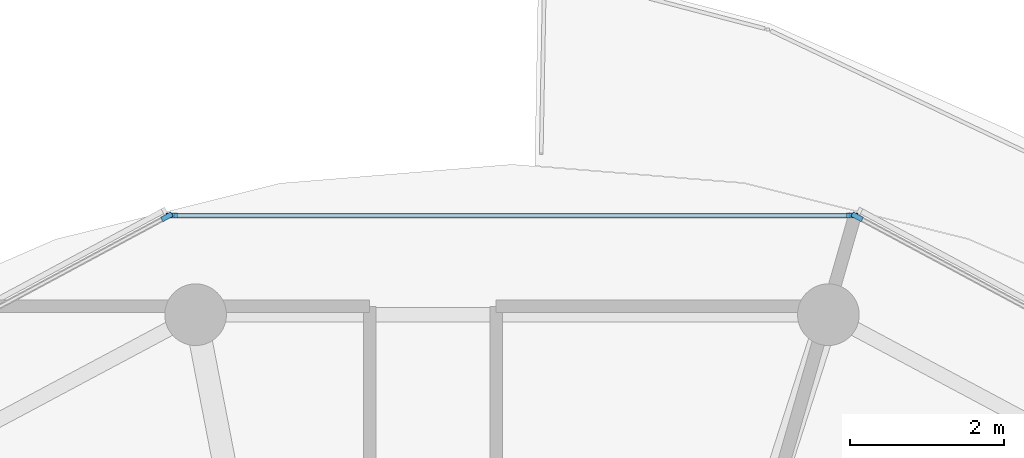
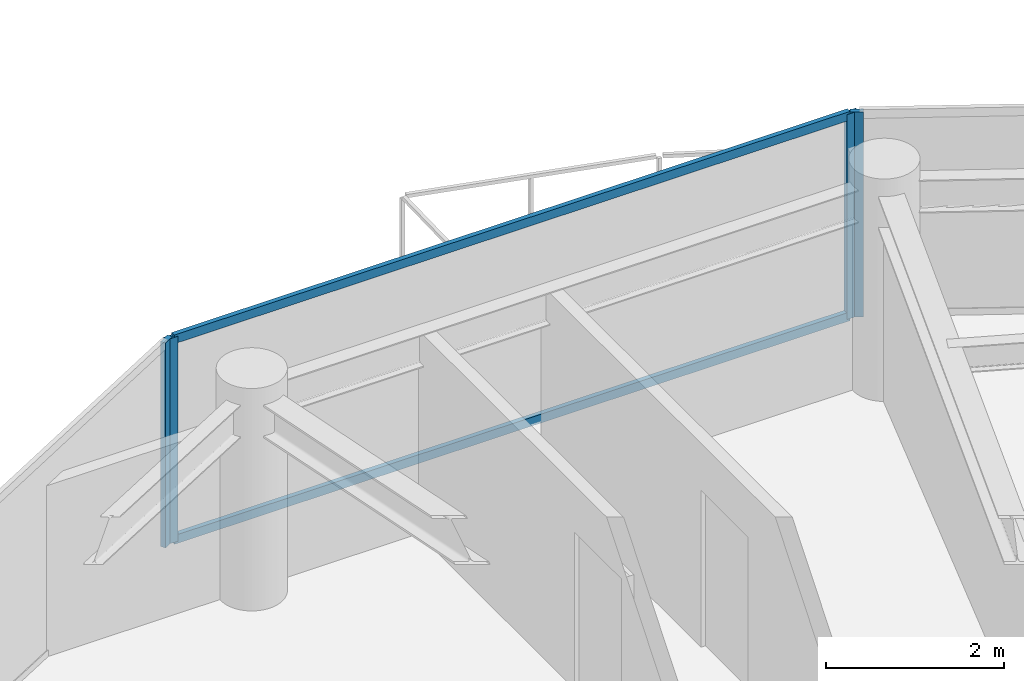
# One storey, part 9 of 21: 6 members, 3 elements without a shape of their own.
"""IFC4 building model written with IfcOpenShell, lengths in metres."""

from ifc_helpers import new_model, si_unit, direction, frame, origin, origin_2d, place, context, subcontext, project, spatial, rectangle, extrude, source, transform, mapped, material, layer, layer_set, material_profile, profile_set, type_object, type_shapes, element, aggregate, save


model = new_model("IFC4")

# Units and contexts
model_context = context("Model", 3, precision=1e-05, world=origin(), true_north=direction((0.0, 1.0)))
body_context = subcontext(model_context, "Body", "Model", "MODEL_VIEW")
ifc_project = project(units=[si_unit("LENGTHUNIT", "METRE"), si_unit("AREAUNIT", "SQUARE_METRE"), si_unit("VOLUMEUNIT", "CUBIC_METRE"), si_unit("PLANEANGLEUNIT", "RADIAN"), si_unit("MASSUNIT", "GRAM", prefix="KILO")], contexts=[model_context])

# Site, building, storey
site_placement = place(None, origin())
site = spatial("IfcSite", under=ifc_project, at=site_placement, CompositionType="ELEMENT")
building_placement = place(site_placement, origin())
building = spatial("IfcBuilding", under=site, at=building_placement, Name="Norrkilde Senior Care Towers", CompositionType="ELEMENT")
storey_placement = place(building_placement, frame((0.0, 0.0, 140.39990234375)))
storey = spatial("IfcBuildingStorey", under=building, at=storey_placement, Name="L43", CompositionType="ELEMENT", Elevation=140.39990234375)

# Curtain wall, member
ifc_material_1 = material(Name="Triple Low-E Insulated Glazing", Category="glass")
ifc_layer = layer(ifc_material_1, 0.18994140625)
ifc_layer_set = layer_set([ifc_layer], Name="Triple Low-E Insulated Glazing")
curtain_wall_type = type_object("IfcCurtainWallType", Name="CW4 Zone 3 Senior Residence Curtain Wall", PredefinedType="NOTDEFINED", material=ifc_layer_set)
curtain_wall_1_placement = place(storey_placement, origin())
curtain_wall_1 = element("IfcCurtainWall", 1, at=curtain_wall_1_placement, inside=storey, type_object=curtain_wall_type, Name="L43 Drum W Curtain Wall 01", PredefinedType="NOTDEFINED")
ifc_material_2 = material(Name="Anodised Aluminium", Category="aluminium")
ifc_material_profile_1 = material_profile(ifc_material_2, rectangle(XDim=0.06494140625, YDim=0.14990234375, at=origin_2d()), Name="ALU MULL 65x150")
ifc_profile_set_1 = profile_set([ifc_material_profile_1], Name="Anodised Aluminium")
member_type_1 = type_object("IfcMemberType", Name="Curtain Wall Mullion Z3-Z4 65x150", PredefinedType="MULLION", material=ifc_profile_set_1)
shared_shape_1 = source(origin(), body_context, "Body", "SweptSolid", [
    extrude(rectangle(XDim=0.06494140625, YDim=0.14990234375, at=origin_2d()), origin(), (0.0, 0.0, 1.0), 2.81005859375),
])
type_shapes(member_type_1, [shared_shape_1])
member_1_placement = place(storey_placement, frame((-22.499755859375, 17.195556640625, 0.0), z_axis=(0.0, 0.0, 1.0), x_axis=(0.47311715104, 0.880999524059, 0.0)))
member_1 = element("IfcMember", 2, at=member_1_placement, type_object=member_type_1, Name="CW-4 mullion 1", PredefinedType="MULLION", context=body_context, shape_type="MappedRepresentation", body=[
    mapped(shared_shape_1, transform((0.0, 0.0, 0.0), x_axis=(1.0, 0.0, 0.0), y_axis=(0.0, 1.0, 0.0), z_axis=(0.0, 0.0, 1.0), scale=1.0)),
])
aggregate(curtain_wall_1, [member_1])

# Curtain wall, members
curtain_wall_2_placement = place(storey_placement, origin())
curtain_wall_2 = element("IfcCurtainWall", 3, at=curtain_wall_2_placement, inside=storey, type_object=curtain_wall_type, Name="L43 Drum W Curtain Wall 02", PredefinedType="NOTDEFINED")
member_2_placement = place(storey_placement, frame((-31.388916015625, 17.2109375, 0.0), z_axis=(0.0, 0.0, 1.0), x_axis=(0.0, 1.0, 0.0)))
member_2 = element("IfcMember", 4, at=member_2_placement, type_object=member_type_1, Name="CW-4 mullion 1", PredefinedType="MULLION", context=body_context, shape_type="MappedRepresentation", body=[
    mapped(shared_shape_1, transform((0.0, 0.0, 0.0), x_axis=(1.0, 0.0, 0.0), y_axis=(0.0, 1.0, 0.0), z_axis=(0.0, 0.0, 1.0), scale=1.0)),
])
member_3_placement = place(storey_placement, frame((-22.56103515625, 17.2109375, 0.0), z_axis=(0.0, 0.0, 1.0), x_axis=(0.0, 1.0, 0.0)))
member_3 = element("IfcMember", 5, at=member_3_placement, type_object=member_type_1, Name="CW-4 mullion 2", PredefinedType="MULLION", context=body_context, shape_type="MappedRepresentation", body=[
    mapped(shared_shape_1, transform((0.0, 0.0, 0.0), x_axis=(1.0, 0.0, 0.0), y_axis=(0.0, 1.0, 0.0), z_axis=(0.0, 0.0, 1.0), scale=1.0)),
])

# Curtain wall, member
curtain_wall_3_placement = place(storey_placement, origin())
curtain_wall_3 = element("IfcCurtainWall", 6, at=curtain_wall_3_placement, inside=storey, type_object=curtain_wall_type, Name="L43 Drum W Curtain Wall 03", PredefinedType="NOTDEFINED")
member_4_placement = place(storey_placement, frame((-31.4501953125, 17.195556640625, 0.0), z_axis=(0.0, 0.0, 1.0), x_axis=(-0.47311715104, 0.880999524059, 0.0)))
member_4 = element("IfcMember", 7, at=member_4_placement, type_object=member_type_1, Name="CW-4 mullion 2", PredefinedType="MULLION", context=body_context, shape_type="MappedRepresentation", body=[
    mapped(shared_shape_1, transform((0.0, 0.0, 0.0), x_axis=(1.0, 0.0, 0.0), y_axis=(0.0, 1.0, 0.0), z_axis=(0.0, 0.0, 1.0), scale=1.0)),
])
aggregate(curtain_wall_3, [member_4])

# Member
ifc_material_profile_2 = material_profile(ifc_material_2, rectangle(XDim=0.06005859375, YDim=0.1201171875, at=origin_2d()), Name="ALU TRAN 60x120")
ifc_profile_set_2 = profile_set([ifc_material_profile_2], Name="Anodised Aluminium")
member_type_2 = type_object("IfcMemberType", Name="Curtain Wall Transom Typical 60x120", PredefinedType="USERDEFINED", material=ifc_profile_set_2)
shared_shape_2 = source(origin(), body_context, "Body", "SweptSolid", [
    extrude(rectangle(XDim=0.06005859375, YDim=0.1201171875, at=origin_2d()), origin(), (0.0, 0.0, 1.0), 8.762939453125),
])
type_shapes(member_type_2, [shared_shape_2])
member_5_placement = place(storey_placement, frame((-31.3564453125, 17.2109375, 0.030029296875), z_axis=(1.0, 0.0, 0.0), x_axis=(0.0, 1.0, 0.0)))
member_5 = element("IfcMember", 8, at=member_5_placement, type_object=member_type_2, Name="CW-4 transom 1.1", ObjectType="TRANSOM", PredefinedType="USERDEFINED", context=body_context, shape_type="MappedRepresentation", body=[
    mapped(shared_shape_2, transform((0.0, 0.0, 0.0), x_axis=(1.0, 0.0, 0.0), y_axis=(0.0, 1.0, 0.0), z_axis=(0.0, 0.0, 1.0), scale=1.0)),
])

member_6_placement = place(storey_placement, frame((-31.3564453125, 17.2109375, 2.780029296875), z_axis=(1.0, 0.0, 0.0), x_axis=(0.0, 1.0, 0.0)))
member_6 = element("IfcMember", 9, at=member_6_placement, type_object=member_type_2, Name="CW-4 transom 1.2", ObjectType="TRANSOM", PredefinedType="USERDEFINED", context=body_context, shape_type="MappedRepresentation", body=[
    mapped(shared_shape_2, transform((0.0, 0.0, 0.0), x_axis=(1.0, 0.0, 0.0), y_axis=(0.0, 1.0, 0.0), z_axis=(0.0, 0.0, 1.0), scale=1.0)),
])

aggregate(curtain_wall_2, [member_2, member_3, member_5, member_6])

save(model, "model.ifc")
